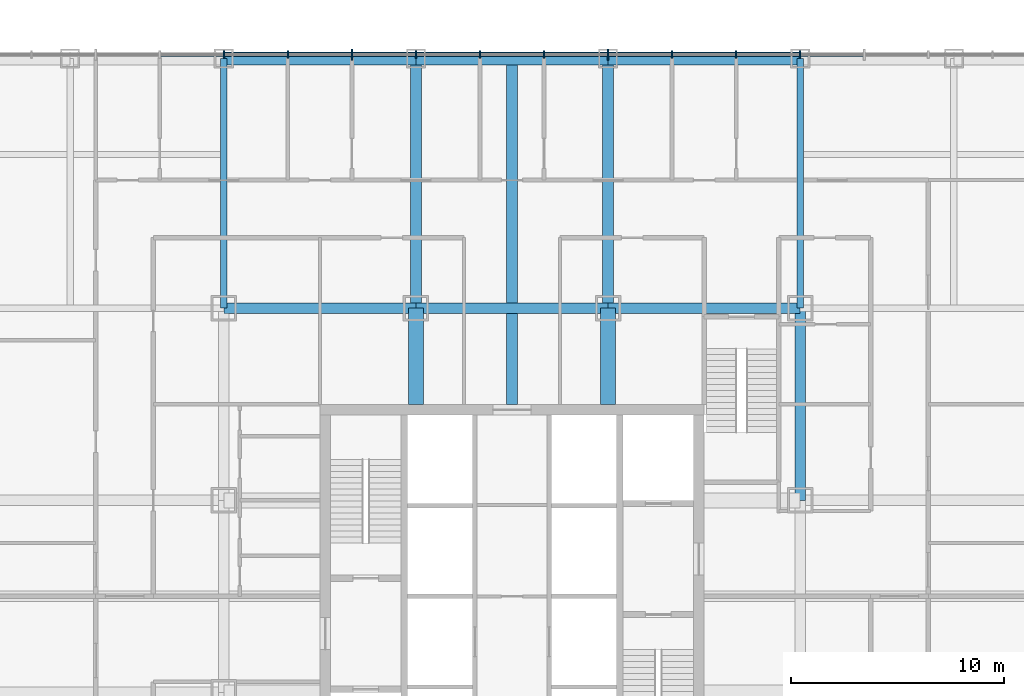
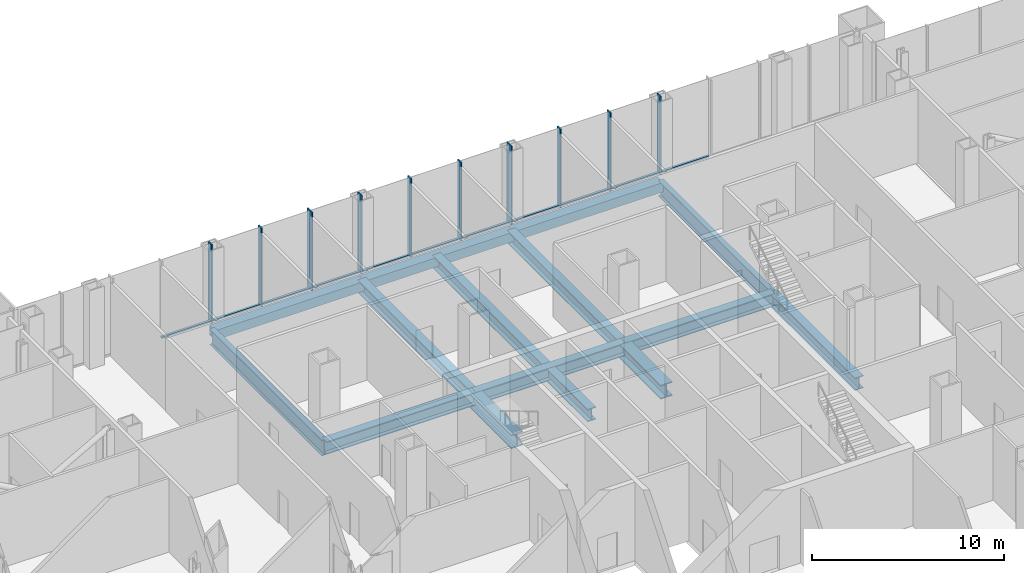
# One storey, part 6 of 25: 21 members, 14 beams, 1 element without a shape of its own.
"""IFC4 building model written with IfcOpenShell, lengths in metres."""

from ifc_helpers import new_model, si_unit, direction, frame, origin, origin_2d, place, context, subcontext, project, spatial, rectangle, hollow_rectangle, i_section, extrude, material, layer, layer_set, material_profile, profile_set, type_object, element, aggregate, save


model = new_model("IFC4")

# Units and contexts
model_context = context("Model", 3, precision=1e-05, world=origin(), true_north=direction((0.0, 1.0)))
body_context = subcontext(model_context, "Body", "Model", "MODEL_VIEW")
ifc_project = project(units=[si_unit("LENGTHUNIT", "METRE"), si_unit("AREAUNIT", "SQUARE_METRE"), si_unit("VOLUMEUNIT", "CUBIC_METRE"), si_unit("PLANEANGLEUNIT", "RADIAN"), si_unit("MASSUNIT", "GRAM", prefix="KILO")], contexts=[model_context])

# Site, building, storey
site_placement = place(None, origin())
site = spatial("IfcSite", under=ifc_project, at=site_placement, CompositionType="ELEMENT")
building_placement = place(site_placement, origin())
building = spatial("IfcBuilding", under=site, at=building_placement, Name="Malebo Sky Hospital", CompositionType="ELEMENT")
storey_placement = place(building_placement, frame((0.0, 0.0, 6.0)))
storey = spatial("IfcBuildingStorey", under=building, at=storey_placement, Name="L01", CompositionType="ELEMENT", Elevation=6.0)

# Curtain wall, members
ifc_material_1 = material(Name="Anodised aluminium, natural silver", Category="aluminium")
ifc_layer = layer(ifc_material_1, 0.25)
ifc_layer_set = layer_set([ifc_layer], Name="PODIUM ENTRANCE BAY CURTAIN WALL")
curtain_wall_type = type_object("IfcCurtainWallType", Name="PODIUM ENTRANCE BAY CURTAIN WALL", PredefinedType="NOTDEFINED", material=ifc_layer_set)
curtain_wall_placement = place(storey_placement, origin())
curtain_wall = element("IfcCurtainWall", 1, at=curtain_wall_placement, inside=storey, type_object=curtain_wall_type, Name="BAY curtain wall BN", PredefinedType="NOTDEFINED")
ifc_material_profile_1 = material_profile(ifc_material_1, rectangle(XDim=0.14990234375, YDim=0.10009765625, at=origin_2d()), Name="ALUMINIUM TRANSOM 150x100")
ifc_profile_set_1 = profile_set([ifc_material_profile_1], Name="Anodised aluminium, natural silver")
member_type_1 = type_object("IfcMemberType", Name="ALUMINIUM TRANSOM 150x100", PredefinedType="USERDEFINED", material=ifc_profile_set_1)
member_1_placement = place(storey_placement, frame((76.46240234375, 87.375, 0.050048828125), z_axis=(-1.0, 0.0, 0.0), x_axis=(0.0, -1.0, 0.0)))
member_1 = element("IfcMember", 2, at=member_1_placement, type_object=member_type_1, Name="Transom 4", ObjectType="TRANSOM", PredefinedType="USERDEFINED", context=body_context, shape_type="SweptSolid", body=[
    extrude(rectangle(XDim=0.14990234375, YDim=0.10009765625, at=origin_2d()), origin(), (0.0, 0.0, 1.0), 2.9248046875),
])
member_2_placement = place(storey_placement, frame((73.46240234375, 87.375, 0.050048828125), z_axis=(-1.0, 0.0, 0.0), x_axis=(0.0, -1.0, 0.0)))
member_2 = element("IfcMember", 3, at=member_2_placement, type_object=member_type_1, Name="Transom 5", ObjectType="TRANSOM", PredefinedType="USERDEFINED", context=body_context, shape_type="SweptSolid", body=[
    extrude(rectangle(XDim=0.14990234375, YDim=0.10009765625, at=origin_2d()), origin(), (0.0, 0.0, 1.0), 2.9248046875),
])
member_3_placement = place(storey_placement, frame((70.46240234375, 87.375, 0.050048828125), z_axis=(-1.0, 0.0, 0.0), x_axis=(0.0, -1.0, 0.0)))
member_3 = element("IfcMember", 4, at=member_3_placement, type_object=member_type_1, Name="Transom 6", ObjectType="TRANSOM", PredefinedType="USERDEFINED", context=body_context, shape_type="SweptSolid", body=[
    extrude(rectangle(XDim=0.14990234375, YDim=0.10009765625, at=origin_2d()), origin(), (0.0, 0.0, 1.0), 2.9248046875),
])
member_4_placement = place(storey_placement, frame((67.46240234375, 87.375, 0.050048828125), z_axis=(-1.0, 0.0, 0.0), x_axis=(0.0, -1.0, 0.0)))
member_4 = element("IfcMember", 5, at=member_4_placement, type_object=member_type_1, Name="Transom 7", ObjectType="TRANSOM", PredefinedType="USERDEFINED", context=body_context, shape_type="SweptSolid", body=[
    extrude(rectangle(XDim=0.14990234375, YDim=0.10009765625, at=origin_2d()), origin(), (0.0, 0.0, 1.0), 2.9248046875),
])
member_5_placement = place(storey_placement, frame((64.46240234375, 87.375, 0.050048828125), z_axis=(-1.0, 0.0, 0.0), x_axis=(0.0, -1.0, 0.0)))
member_5 = element("IfcMember", 6, at=member_5_placement, type_object=member_type_1, Name="Transom 8", ObjectType="TRANSOM", PredefinedType="USERDEFINED", context=body_context, shape_type="SweptSolid", body=[
    extrude(rectangle(XDim=0.14990234375, YDim=0.10009765625, at=origin_2d()), origin(), (0.0, 0.0, 1.0), 2.9248046875),
])
member_6_placement = place(storey_placement, frame((61.46240234375, 87.375, 0.050048828125), z_axis=(-1.0, 0.0, 0.0), x_axis=(0.0, -1.0, 0.0)))
member_6 = element("IfcMember", 7, at=member_6_placement, type_object=member_type_1, Name="Transom 9", ObjectType="TRANSOM", PredefinedType="USERDEFINED", context=body_context, shape_type="SweptSolid", body=[
    extrude(rectangle(XDim=0.14990234375, YDim=0.10009765625, at=origin_2d()), origin(), (0.0, 0.0, 1.0), 2.9248046875),
])
member_7_placement = place(storey_placement, frame((58.46240234375, 87.375, 0.050048828125), z_axis=(-1.0, 0.0, 0.0), x_axis=(0.0, -1.0, 0.0)))
member_7 = element("IfcMember", 8, at=member_7_placement, type_object=member_type_1, Name="Transom 10", ObjectType="TRANSOM", PredefinedType="USERDEFINED", context=body_context, shape_type="SweptSolid", body=[
    extrude(rectangle(XDim=0.14990234375, YDim=0.10009765625, at=origin_2d()), origin(), (0.0, 0.0, 1.0), 2.9248046875),
])
member_8_placement = place(storey_placement, frame((55.46240234375, 87.375, 0.050048828125), z_axis=(-1.0, 0.0, 0.0), x_axis=(0.0, -1.0, 0.0)))
member_8 = element("IfcMember", 9, at=member_8_placement, type_object=member_type_1, Name="Transom 11", ObjectType="TRANSOM", PredefinedType="USERDEFINED", context=body_context, shape_type="SweptSolid", body=[
    extrude(rectangle(XDim=0.14990234375, YDim=0.10009765625, at=origin_2d()), origin(), (0.0, 0.0, 1.0), 2.9248046875),
])
member_9_placement = place(storey_placement, frame((52.46240234375, 87.375, 0.050048828125), z_axis=(-1.0, 0.0, 0.0), x_axis=(0.0, -1.0, 0.0)))
member_9 = element("IfcMember", 10, at=member_9_placement, type_object=member_type_1, Name="Transom 12", ObjectType="TRANSOM", PredefinedType="USERDEFINED", context=body_context, shape_type="SweptSolid", body=[
    extrude(rectangle(XDim=0.14990234375, YDim=0.10009765625, at=origin_2d()), origin(), (0.0, 0.0, 1.0), 2.9248046875),
])
member_10_placement = place(storey_placement, frame((49.46240234375, 87.375, 0.050048828125), z_axis=(-1.0, 0.0, 0.0), x_axis=(0.0, -1.0, 0.0)))
member_10 = element("IfcMember", 11, at=member_10_placement, type_object=member_type_1, Name="Transom 13", ObjectType="TRANSOM", PredefinedType="USERDEFINED", context=body_context, shape_type="SweptSolid", body=[
    extrude(rectangle(XDim=0.14990234375, YDim=0.10009765625, at=origin_2d()), origin(), (0.0, 0.0, 1.0), 2.9248046875),
])
member_11_placement = place(storey_placement, frame((46.46240234375, 87.375, 0.050048828125), z_axis=(-1.0, 0.0, 0.0), x_axis=(0.0, -1.0, 0.0)))
member_11 = element("IfcMember", 12, at=member_11_placement, type_object=member_type_1, Name="Transom 14", ObjectType="TRANSOM", PredefinedType="USERDEFINED", context=body_context, shape_type="SweptSolid", body=[
    extrude(rectangle(XDim=0.14990234375, YDim=0.10009765625, at=origin_2d()), origin(), (0.0, 0.0, 1.0), 2.9248046875),
])
ifc_material_profile_2 = material_profile(ifc_material_1, rectangle(XDim=0.074951171875, YDim=0.35009765625, at=origin_2d()), Name="CW4 ALUMINIUM FIN MULLION 75x350")
ifc_profile_set_2 = profile_set([ifc_material_profile_2], Name="Anodised aluminium, natural silver")
member_type_2 = type_object("IfcMemberType", Name="CW4 ALUMINIUM FIN MULLION 75x350", PredefinedType="MULLION", material=ifc_profile_set_2)
member_12_placement = place(storey_placement, frame((73.5, 87.375, 0.0), z_axis=(0.0, 0.0, 1.0), x_axis=(-1.0, 0.0, 0.0)))
member_12 = element("IfcMember", 13, at=member_12_placement, type_object=member_type_2, Name="Fin mullion 5", PredefinedType="MULLION", context=body_context, shape_type="SweptSolid", body=[
    extrude(rectangle(XDim=0.074951171875, YDim=0.35009765625, at=origin_2d()), origin(), (0.0, 0.0, 1.0), 5.0),
])
member_13_placement = place(storey_placement, frame((70.5, 87.375, 0.0), z_axis=(0.0, 0.0, 1.0), x_axis=(-1.0, 0.0, 0.0)))
member_13 = element("IfcMember", 14, at=member_13_placement, type_object=member_type_2, Name="Fin mullion 6", PredefinedType="MULLION", context=body_context, shape_type="SweptSolid", body=[
    extrude(rectangle(XDim=0.074951171875, YDim=0.35009765625, at=origin_2d()), origin(), (0.0, 0.0, 1.0), 5.0),
])
member_14_placement = place(storey_placement, frame((67.5, 87.375, 0.0), z_axis=(0.0, 0.0, 1.0), x_axis=(-1.0, 0.0, 0.0)))
member_14 = element("IfcMember", 15, at=member_14_placement, type_object=member_type_2, Name="Fin mullion 7", PredefinedType="MULLION", context=body_context, shape_type="SweptSolid", body=[
    extrude(rectangle(XDim=0.074951171875, YDim=0.35009765625, at=origin_2d()), origin(), (0.0, 0.0, 1.0), 5.0),
])
member_15_placement = place(storey_placement, frame((61.5, 87.375, 0.0), z_axis=(0.0, 0.0, 1.0), x_axis=(-1.0, 0.0, 0.0)))
member_15 = element("IfcMember", 16, at=member_15_placement, type_object=member_type_2, Name="Fin mullion 9", PredefinedType="MULLION", context=body_context, shape_type="SweptSolid", body=[
    extrude(rectangle(XDim=0.074951171875, YDim=0.35009765625, at=origin_2d()), origin(), (0.0, 0.0, 1.0), 5.0),
])
member_16_placement = place(storey_placement, frame((58.5, 87.375, 0.0), z_axis=(0.0, 0.0, 1.0), x_axis=(-1.0, 0.0, 0.0)))
member_16 = element("IfcMember", 17, at=member_16_placement, type_object=member_type_2, Name="Fin mullion 10", PredefinedType="MULLION", context=body_context, shape_type="SweptSolid", body=[
    extrude(rectangle(XDim=0.074951171875, YDim=0.35009765625, at=origin_2d()), origin(), (0.0, 0.0, 1.0), 5.0),
])
member_17_placement = place(storey_placement, frame((55.5, 87.375, 0.0), z_axis=(0.0, 0.0, 1.0), x_axis=(-1.0, 0.0, 0.0)))
member_17 = element("IfcMember", 18, at=member_17_placement, type_object=member_type_2, Name="Fin mullion 11", PredefinedType="MULLION", context=body_context, shape_type="SweptSolid", body=[
    extrude(rectangle(XDim=0.074951171875, YDim=0.35009765625, at=origin_2d()), origin(), (0.0, 0.0, 1.0), 5.0),
])
member_18_placement = place(storey_placement, frame((49.5, 87.375, 0.0), z_axis=(0.0, 0.0, 1.0), x_axis=(-1.0, 0.0, 0.0)))
member_18 = element("IfcMember", 19, at=member_18_placement, type_object=member_type_2, Name="Fin mullion 13", PredefinedType="MULLION", context=body_context, shape_type="SweptSolid", body=[
    extrude(rectangle(XDim=0.074951171875, YDim=0.35009765625, at=origin_2d()), origin(), (0.0, 0.0, 1.0), 5.0),
])
member_19_placement = place(storey_placement, frame((46.5, 87.375, 0.0), z_axis=(0.0, 0.0, 1.0), x_axis=(-1.0, 0.0, 0.0)))
member_19 = element("IfcMember", 20, at=member_19_placement, type_object=member_type_2, Name="Fin mullion 14", PredefinedType="MULLION", context=body_context, shape_type="SweptSolid", body=[
    extrude(rectangle(XDim=0.074951171875, YDim=0.35009765625, at=origin_2d()), origin(), (0.0, 0.0, 1.0), 5.0),
])
ifc_material_profile_3 = material_profile(ifc_material_1, rectangle(XDim=0.074951171875, YDim=0.5, at=origin_2d()), Name="CW4 ALUMINIUM FIN MULLION 75x500")
ifc_profile_set_3 = profile_set([ifc_material_profile_3], Name="Anodised aluminium, natural silver")
member_type_3 = type_object("IfcMemberType", Name="CW4 ALUMINIUM FIN MULLION 75x500", PredefinedType="MULLION", material=ifc_profile_set_3)
member_20_placement = place(storey_placement, frame((64.5, 87.375, 0.0), z_axis=(0.0, 0.0, 1.0), x_axis=(-1.0, 0.0, 0.0)))
member_20 = element("IfcMember", 21, at=member_20_placement, type_object=member_type_3, Name="Fin mullion 8", PredefinedType="MULLION", context=body_context, shape_type="SweptSolid", body=[
    extrude(rectangle(XDim=0.074951171875, YDim=0.5, at=origin_2d()), origin(), (0.0, 0.0, 1.0), 5.0),
])
member_21_placement = place(storey_placement, frame((52.5, 87.375, 0.0), z_axis=(0.0, 0.0, 1.0), x_axis=(-1.0, 0.0, 0.0)))
member_21 = element("IfcMember", 22, at=member_21_placement, type_object=member_type_3, Name="Fin mullion 12", PredefinedType="MULLION", context=body_context, shape_type="SweptSolid", body=[
    extrude(rectangle(XDim=0.074951171875, YDim=0.5, at=origin_2d()), origin(), (0.0, 0.0, 1.0), 5.0),
])
aggregate(curtain_wall, [member_12, member_13, member_14, member_20, member_15, member_16, member_17, member_21, member_18, member_19, member_1, member_2, member_3, member_4, member_5, member_6, member_7, member_8, member_9, member_10, member_11])

# Beams
ifc_material_2 = material(Name="Steel S460", Category="steel")
ifc_material_profile_4 = material_profile(ifc_material_2, hollow_rectangle(XDim=0.60009765625, YDim=0.60009765625, WallThickness=0.0400390625, at=origin_2d()), Name="BOX 600x600x40")
ifc_profile_set_4 = profile_set([ifc_material_profile_4], Name="Steel S460")
beam_type_1 = type_object("IfcBeamType", Name="EDGE BEAM BOX 600x600x40", PredefinedType="BEAM", material=ifc_profile_set_4)
for number, where, z_axis, x_axis, name in (
    (23, (46.5, 87.199951171875, -0.60009765625), (1.0, 0.0, 0.0), (0.0, 1.0, 0.0), "Beam 071 L01"),
    (24, (55.5, 87.199951171875, -0.60009765625), (1.0, 0.0, 0.0), (0.0, 1.0, 0.0), "Beam 072 L01"),
    (25, (64.5, 87.199951171875, -0.60009765625), (1.0, 0.0, 0.0), (0.0, 1.0, 0.0), "Beam 073 L01"),
):
    element("IfcBeam", number, at=place(storey_placement, frame(where, z_axis=z_axis, x_axis=x_axis)), inside=storey, type_object=beam_type_1, Name=name, PredefinedType="BEAM", context=body_context, shape_type="SweptSolid", body=[
        extrude(hollow_rectangle(XDim=0.60009765625, YDim=0.60009765625, WallThickness=0.0400390625, at=origin_2d()), origin(), (0.0, 0.0, 1.0), 9.0),
    ])
ifc_material_3 = material(Name="Steel S355", Category="steel")
ifc_material_profile_5 = material_profile(ifc_material_3, i_section(OverallWidth=0.5, OverallDepth=0.800048828125, WebThickness=0.030029296875, FlangeThickness=0.050048828125, at=origin_2d()), Name="PG 800x500x30x50")
ifc_profile_set_5 = profile_set([ifc_material_profile_5], Name="Steel S355")
beam_type_2 = type_object("IfcBeamType", Name="FLOOR BEAM PG 800x500x30x50", PredefinedType="BEAM", material=ifc_profile_set_5)
beam_1_placement = place(storey_placement, frame((55.5, 75.5, -0.699951171875), z_axis=(0.0, 1.0, 0.0), x_axis=(-1.0, 0.0, 0.0)))
element("IfcBeam", 26, at=beam_1_placement, inside=storey, type_object=beam_type_2, Name="Beam 017 L01", PredefinedType="BEAM", context=body_context, shape_type="SweptSolid", body=[
    extrude(i_section(OverallWidth=0.5, OverallDepth=0.800048828125, WebThickness=0.030029296875, FlangeThickness=0.050048828125, at=origin_2d()), origin(), (0.0, 0.0, 1.0), 11.699951171875),
])
beam_2_placement = place(storey_placement, frame((60.0, 71.0, -0.699951171875), z_axis=(0.0, 1.0, 0.0), x_axis=(-1.0, 0.0, 0.0)))
element("IfcBeam", 27, at=beam_2_placement, inside=storey, type_object=beam_type_2, Name="Beam 019 L01", PredefinedType="BEAM", context=body_context, shape_type="SweptSolid", body=[
    extrude(i_section(OverallWidth=0.5, OverallDepth=0.800048828125, WebThickness=0.030029296875, FlangeThickness=0.050048828125, at=origin_2d()), origin(), (0.0, 0.0, 1.0), 16.199951171875),
])
beam_3_placement = place(storey_placement, frame((64.5, 75.5, -0.699951171875), z_axis=(0.0, 1.0, 0.0), x_axis=(-1.0, 0.0, 0.0)))
element("IfcBeam", 28, at=beam_3_placement, inside=storey, type_object=beam_type_2, Name="Beam 023 L01", PredefinedType="BEAM", context=body_context, shape_type="SweptSolid", body=[
    extrude(i_section(OverallWidth=0.5, OverallDepth=0.800048828125, WebThickness=0.030029296875, FlangeThickness=0.050048828125, at=origin_2d()), origin(), (0.0, 0.0, 1.0), 11.699951171875),
])
for number, where, z_axis, x_axis, name in (
    (29, (73.5, 66.5, -0.699951171875), (0.0, 1.0, 0.0), (-1.0, 0.0, 0.0), "Beam 027 L01"),
    (30, (46.5, 75.5, -0.699951171875), (1.0, 0.0, 0.0), (0.0, 1.0, 0.0), "Beam 063 L01"),
    (31, (64.5, 75.5, -0.699951171875), (1.0, 0.0, 0.0), (0.0, 1.0, 0.0), "Beam 065 L01"),
):
    element("IfcBeam", number, at=place(storey_placement, frame(where, z_axis=z_axis, x_axis=x_axis)), inside=storey, type_object=beam_type_2, Name=name, PredefinedType="BEAM", context=body_context, shape_type="SweptSolid", body=[
        extrude(i_section(OverallWidth=0.5, OverallDepth=0.800048828125, WebThickness=0.030029296875, FlangeThickness=0.050048828125, at=origin_2d()), origin(), (0.0, 0.0, 1.0), 9.0),
    ])
ifc_material_profile_6 = material_profile(ifc_material_3, i_section(OverallWidth=0.699951171875, OverallDepth=0.89990234375, WebThickness=0.0400390625, FlangeThickness=0.070068359375, at=origin_2d()), Name="PG 900x700x40x70")
ifc_profile_set_6 = profile_set([ifc_material_profile_6], Name="Steel S355")
beam_type_3 = type_object("IfcBeamType", Name="FLOOR BEAM PG 900x700x40x70", PredefinedType="BEAM", material=ifc_profile_set_6)
for number, where, z_axis, x_axis, name in (
    (32, (55.5, 71.0, -0.75), (0.0, 1.0, 0.0), (-1.0, 0.0, 0.0), "Beam 016 L01"),
    (33, (64.5, 71.0, -0.75), (0.0, 1.0, 0.0), (-1.0, 0.0, 0.0), "Beam 022 L01"),
):
    element("IfcBeam", number, at=place(storey_placement, frame(where, z_axis=z_axis, x_axis=x_axis)), inside=storey, type_object=beam_type_3, Name=name, PredefinedType="BEAM", context=body_context, shape_type="SweptSolid", body=[
        extrude(i_section(OverallWidth=0.699951171875, OverallDepth=0.89990234375, WebThickness=0.0400390625, FlangeThickness=0.070068359375, at=origin_2d()), origin(), (0.0, 0.0, 1.0), 4.5),
    ])
ifc_material_profile_7 = material_profile(ifc_material_3, i_section(OverallWidth=0.300048828125, OverallDepth=1.0, WebThickness=0.01904296875, FlangeThickness=0.035888671875, FilletRadius=0.030029296875, at=origin_2d()), Name="HEB 1000")
ifc_profile_set_7 = profile_set([ifc_material_profile_7], Name="Steel S355")
beam_type_4 = type_object("IfcBeamType", Name="FLOOR GIRDER HEB 1000", PredefinedType="BEAM", material=ifc_profile_set_7)
for number, where, z_axis, x_axis, name in (
    (34, (46.5, 75.5, -0.800048828125), (0.0, 1.0, 0.0), (-1.0, 0.0, 0.0), "Beam 013 L01"),
    (35, (73.5, 75.5, -0.800048828125), (0.0, 1.0, 0.0), (-1.0, 0.0, 0.0), "Beam 028 L01"),
):
    element("IfcBeam", number, at=place(storey_placement, frame(where, z_axis=z_axis, x_axis=x_axis)), inside=storey, type_object=beam_type_4, Name=name, PredefinedType="BEAM", context=body_context, shape_type="SweptSolid", body=[
        extrude(i_section(OverallWidth=0.300048828125, OverallDepth=1.0, WebThickness=0.01904296875, FlangeThickness=0.035888671875, FilletRadius=0.030029296875, at=origin_2d()), origin(), (0.0, 0.0, 1.0), 11.699951171875),
    ])
ifc_material_profile_8 = material_profile(ifc_material_3, i_section(OverallWidth=0.5, OverallDepth=0.800048828125, WebThickness=0.030029296875, FlangeThickness=0.050048828125, at=origin_2d()), Name="PG 800x500x30x50")
ifc_profile_set_8 = profile_set([ifc_material_profile_8], Name="Steel S355")
beam_type_5 = type_object("IfcBeamType", Name="RING GIRDER PG 800x500x30x50", PredefinedType="BEAM", material=ifc_profile_set_8)
beam_4_placement = place(storey_placement, frame((55.5, 75.5, -0.699951171875), z_axis=(1.0, 0.0, 0.0), x_axis=(0.0, 1.0, 0.0)))
element("IfcBeam", 36, at=beam_4_placement, inside=storey, type_object=beam_type_5, Name="Beam 064 L01", PredefinedType="BEAM", context=body_context, shape_type="SweptSolid", body=[
    extrude(i_section(OverallWidth=0.5, OverallDepth=0.800048828125, WebThickness=0.030029296875, FlangeThickness=0.050048828125, at=origin_2d()), origin(), (0.0, 0.0, 1.0), 9.0),
])

save(model, "model.ifc")
